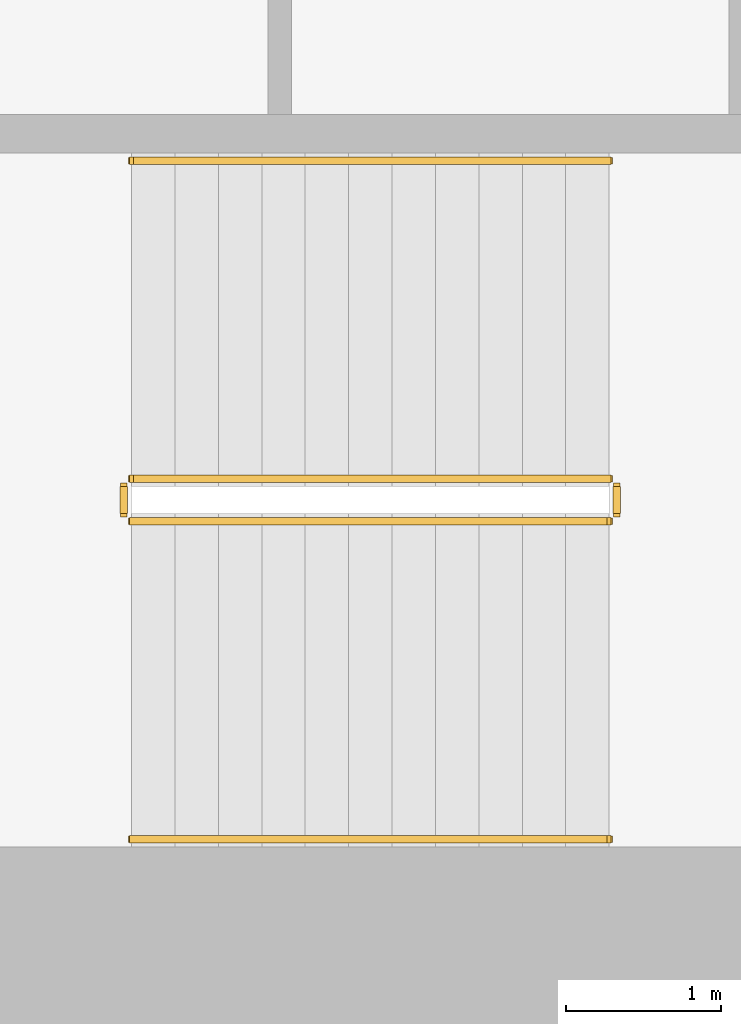
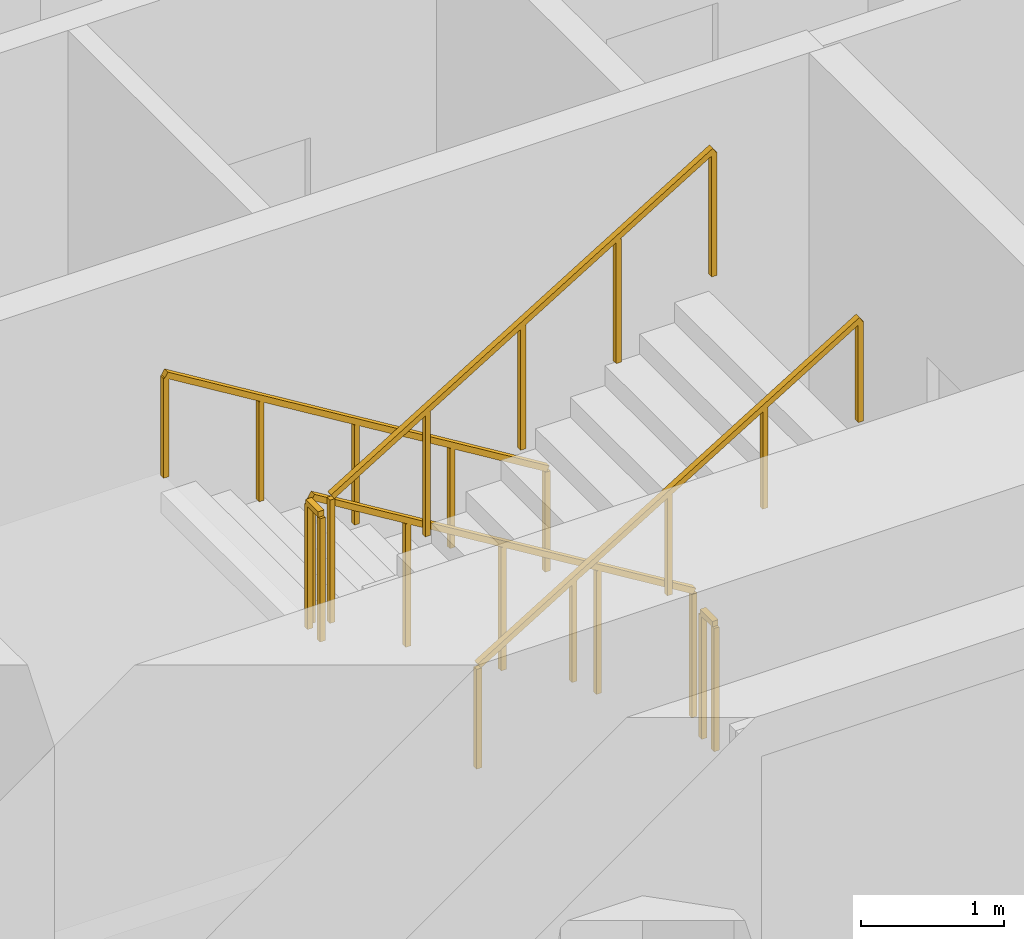
# One storey, part 10 of 15: 6 railings.
"""IFC4 building model written with IfcOpenShell, lengths in metres."""

from ifc_helpers import new_model, si_unit, direction, frame, origin, origin_2d, place, context, subcontext, project, spatial, rectangle, extrude, material, type_object, element, save


model = new_model("IFC4")

# Units and contexts
model_context = context("Model", 3, precision=1e-05, world=origin(), true_north=direction((0.0, 1.0)))
body_context = subcontext(model_context, "Body", "Model", "MODEL_VIEW")
ifc_project = project(units=[si_unit("LENGTHUNIT", "METRE"), si_unit("AREAUNIT", "SQUARE_METRE"), si_unit("VOLUMEUNIT", "CUBIC_METRE"), si_unit("PLANEANGLEUNIT", "RADIAN"), si_unit("MASSUNIT", "GRAM", prefix="KILO")], contexts=[model_context])

# Site, building, storey
site_placement = place(None, origin())
site = spatial("IfcSite", under=ifc_project, at=site_placement, CompositionType="ELEMENT")
building_placement = place(site_placement, origin())
building = spatial("IfcBuilding", under=site, at=building_placement, Name="Cypress Arch Tower", CompositionType="ELEMENT")
storey_placement = place(building_placement, frame((0.0, 0.0, 164.60009765625)))
storey = spatial("IfcBuildingStorey", under=building, at=storey_placement, Name="L35", CompositionType="ELEMENT", Elevation=164.60009765625)

# Railings
ifc_material_1 = material(Name="Black powder-coated steel square bar 48 mm", Category="steel")
railing_type_1 = type_object("IfcRailingType", Name="Stair handrail HR1", PredefinedType="HANDRAIL", material=ifc_material_1)
railing_1_placement = place(storey_placement, frame((-22.27490234375, -10.375, 0.170654296875)))
element("IfcRailing", 1, at=railing_1_placement, inside=storey, type_object=railing_type_1, Name="L35 A stair handrail 1", PredefinedType="HANDRAIL", context=body_context, shape_type="SweptSolid", body=[
    extrude(rectangle(XDim=0.048095703125, YDim=0.048095703125, at=origin_2d()), frame((0.0, 0.0, 0.8759765625), z_axis=(-0.853666305674, 0.0, 0.52082035152), x_axis=(0.0, -1.0, 0.0)), (0.0, 0.0, 1.0), 3.608154296875),
    extrude(rectangle(XDim=0.0419921875, YDim=0.0419921875, at=origin_2d()), origin(), (0.0, 0.0, 1.0), 0.851806640625),
    extrude(rectangle(XDim=0.0419921875, YDim=0.0419921875, at=origin_2d()), frame((-0.77001953125, 0.0, 0.4697265625)), (0.0, 0.0, 1.0), 0.851806640625),
    extrude(rectangle(XDim=0.0419921875, YDim=0.0419921875, at=origin_2d()), frame((-1.5400390625, 0.0, 0.939453125)), (0.0, 0.0, 1.0), 0.851806640625),
    extrude(rectangle(XDim=0.0419921875, YDim=0.0419921875, at=origin_2d()), frame((-2.31005859375, 0.0, 1.409423828125)), (0.0, 0.0, 1.0), 0.851806640625),
    extrude(rectangle(XDim=0.0419921875, YDim=0.0419921875, at=origin_2d()), frame((-3.080078125, 0.0, 1.879150390625)), (0.0, 0.0, 1.0), 0.851806640625),
])
railing_2_placement = place(storey_placement, frame((-25.35498046875, -14.75, 2.220703125)))
element("IfcRailing", 2, at=railing_2_placement, inside=storey, type_object=railing_type_1, Name="L35 A stair handrail 2", PredefinedType="HANDRAIL", context=body_context, shape_type="SweptSolid", body=[
    extrude(rectangle(XDim=0.048095703125, YDim=0.048095703125, at=origin_2d()), frame((0.0, 0.0, 0.8759765625), z_axis=(0.853666305674, 0.0, 0.52082035152), x_axis=(0.0, 1.0, 0.0)), (0.0, 0.0, 1.0), 3.608154296875),
    extrude(rectangle(XDim=0.0419921875, YDim=0.0419921875, at=origin_2d()), origin(), (0.0, 0.0, 1.0), 0.851806640625),
    extrude(rectangle(XDim=0.0419921875, YDim=0.0419921875, at=origin_2d()), frame((0.77001953125, 0.0, 0.4697265625)), (0.0, 0.0, 1.0), 0.851806640625),
    extrude(rectangle(XDim=0.0419921875, YDim=0.0419921875, at=origin_2d()), frame((1.5400390625, 0.0, 0.939453125)), (0.0, 0.0, 1.0), 0.851806640625),
    extrude(rectangle(XDim=0.0419921875, YDim=0.0419921875, at=origin_2d()), frame((2.31005859375, 0.0, 1.409423828125)), (0.0, 0.0, 1.0), 0.851806640625),
    extrude(rectangle(XDim=0.0419921875, YDim=0.0419921875, at=origin_2d()), frame((3.080078125, 0.0, 1.879150390625)), (0.0, 0.0, 1.0), 0.851806640625),
])
ifc_material_2 = material(Name="Black powder-coated steel balusters", Category="steel")
railing_type_2 = type_object("IfcRailingType", Name="Stair well guard G1", PredefinedType="GUARDRAIL", material=ifc_material_2)
railing_3_placement = place(storey_placement, frame((-22.27490234375, -12.425048828125, 0.170654296875)))
element("IfcRailing", 3, at=railing_3_placement, inside=storey, type_object=railing_type_2, Name="L35 A stair guard 1", PredefinedType="GUARDRAIL", context=body_context, shape_type="SweptSolid", body=[
    extrude(rectangle(XDim=0.048095703125, YDim=0.048095703125, at=origin_2d()), frame((0.0, 0.0, 1.076171875), z_axis=(-0.853666305674, 0.0, 0.52082035152), x_axis=(0.0, -1.0, 0.0)), (0.0, 0.0, 1.0), 3.608154296875),
    extrude(rectangle(XDim=0.0419921875, YDim=0.0419921875, at=origin_2d()), origin(), (0.0, 0.0, 1.0), 1.052001953125),
    extrude(rectangle(XDim=0.0419921875, YDim=0.0419921875, at=origin_2d()), frame((-0.77001953125, 0.0, 0.4697265625)), (0.0, 0.0, 1.0), 1.052001953125),
    extrude(rectangle(XDim=0.0419921875, YDim=0.0419921875, at=origin_2d()), frame((-1.5400390625, 0.0, 0.939453125)), (0.0, 0.0, 1.0), 1.052001953125),
    extrude(rectangle(XDim=0.0419921875, YDim=0.0419921875, at=origin_2d()), frame((-2.31005859375, 0.0, 1.409423828125)), (0.0, 0.0, 1.0), 1.052001953125),
    extrude(rectangle(XDim=0.0419921875, YDim=0.0419921875, at=origin_2d()), frame((-3.080078125, 0.0, 1.879150390625)), (0.0, 0.0, 1.0), 1.052001953125),
])
railing_4_placement = place(storey_placement, frame((-25.405029296875, -12.47509765625, 2.0498046875)))
element("IfcRailing", 4, at=railing_4_placement, inside=storey, type_object=railing_type_2, Name="L35 A stair guard 2", PredefinedType="GUARDRAIL", context=body_context, shape_type="SweptSolid", body=[
    extrude(rectangle(XDim=0.048095703125, YDim=0.048095703125, at=origin_2d()), frame((0.0, 0.0, 1.076171875), z_axis=(0.0, -1.0, 0.0), x_axis=(1.0, 0.0, 0.0)), (0.0, 0.0, 1.0), 0.1748046875),
    extrude(rectangle(XDim=0.0419921875, YDim=0.0419921875, at=origin_2d()), origin(), (0.0, 0.0, 1.0), 1.052001953125),
    extrude(rectangle(XDim=0.0419921875, YDim=0.0419921875, at=origin_2d()), frame((0.0, -0.1748046875, 0.0)), (0.0, 0.0, 1.0), 1.052001953125),
])
railing_5_placement = place(storey_placement, frame((-25.35498046875, -12.699951171875, 2.220703125)))
element("IfcRailing", 5, at=railing_5_placement, inside=storey, type_object=railing_type_2, Name="L35 A stair guard 3", PredefinedType="GUARDRAIL", context=body_context, shape_type="SweptSolid", body=[
    extrude(rectangle(XDim=0.048095703125, YDim=0.048095703125, at=origin_2d()), frame((0.0, 0.0, 1.076171875), z_axis=(0.853666305674, 0.0, 0.52082035152), x_axis=(0.0, 1.0, 0.0)), (0.0, 0.0, 1.0), 3.608154296875),
    extrude(rectangle(XDim=0.0419921875, YDim=0.0419921875, at=origin_2d()), origin(), (0.0, 0.0, 1.0), 1.052001953125),
    extrude(rectangle(XDim=0.0419921875, YDim=0.0419921875, at=origin_2d()), frame((0.77001953125, 0.0, 0.4697265625)), (0.0, 0.0, 1.0), 1.052001953125),
    extrude(rectangle(XDim=0.0419921875, YDim=0.0419921875, at=origin_2d()), frame((1.5400390625, 0.0, 0.939453125)), (0.0, 0.0, 1.0), 1.052001953125),
    extrude(rectangle(XDim=0.0419921875, YDim=0.0419921875, at=origin_2d()), frame((2.31005859375, 0.0, 1.409423828125)), (0.0, 0.0, 1.0), 1.052001953125),
    extrude(rectangle(XDim=0.0419921875, YDim=0.0419921875, at=origin_2d()), frame((3.080078125, 0.0, 1.879150390625)), (0.0, 0.0, 1.0), 1.052001953125),
])
railing_6_placement = place(storey_placement, frame((-22.22509765625, -12.47509765625, 0.0)))
element("IfcRailing", 6, at=railing_6_placement, inside=storey, type_object=railing_type_2, Name="L35 A stair guard 4", PredefinedType="GUARDRAIL", context=body_context, shape_type="SweptSolid", body=[
    extrude(rectangle(XDim=0.048095703125, YDim=0.048095703125, at=origin_2d()), frame((0.0, 0.0, 1.076171875), z_axis=(0.0, -1.0, 0.0), x_axis=(1.0, 0.0, 0.0)), (0.0, 0.0, 1.0), 0.1748046875),
    extrude(rectangle(XDim=0.0419921875, YDim=0.0419921875, at=origin_2d()), origin(), (0.0, 0.0, 1.0), 1.052001953125),
    extrude(rectangle(XDim=0.0419921875, YDim=0.0419921875, at=origin_2d()), frame((0.0, -0.1748046875, 0.0)), (0.0, 0.0, 1.0), 1.052001953125),
])

save(model, "model.ifc")
